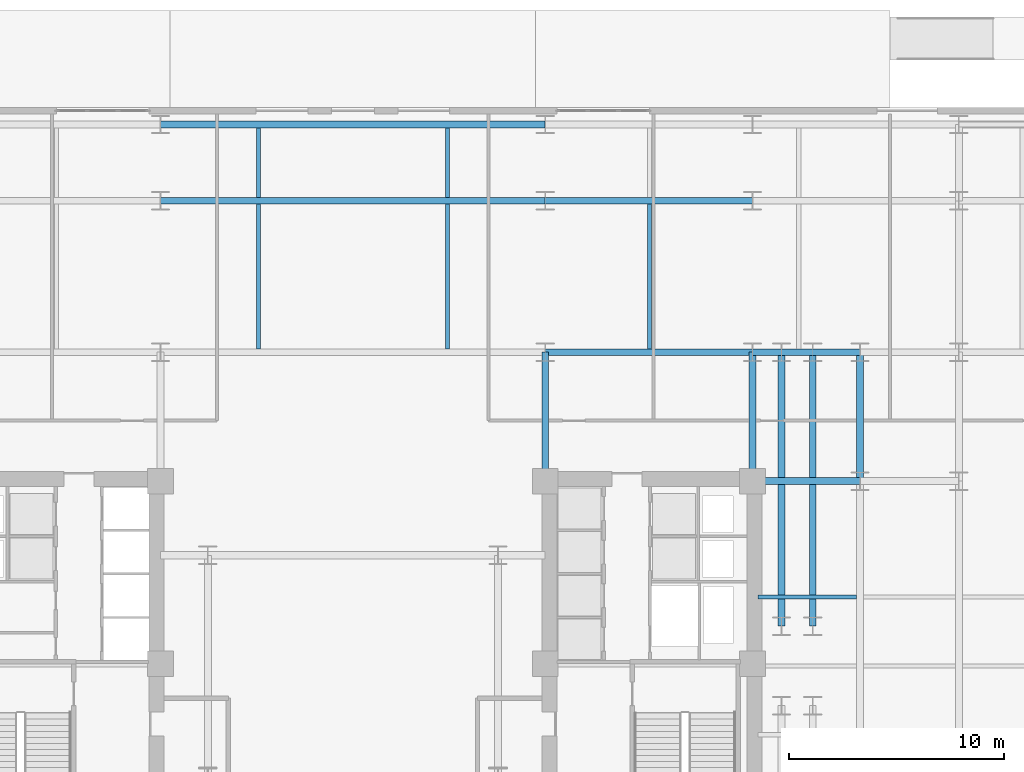
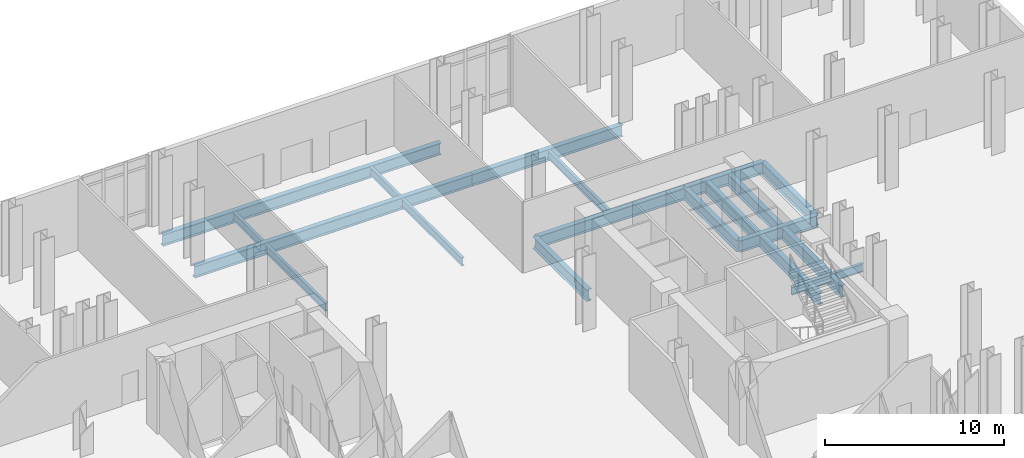
# One storey, part 7 of 21: 17 beams.
"""IFC4 building model written with IfcOpenShell, lengths in metres."""

from ifc_helpers import new_model, si_unit, direction, frame, origin, origin_2d, place, context, subcontext, project, spatial, i_section, extrude, material, material_profile, profile_set, type_object, element, save


model = new_model("IFC4")

# Units and contexts
model_context = context("Model", 3, precision=1e-05, world=origin(), true_north=direction((0.0, 1.0)))
body_context = subcontext(model_context, "Body", "Model", "MODEL_VIEW")
ifc_project = project(units=[si_unit("LENGTHUNIT", "METRE"), si_unit("AREAUNIT", "SQUARE_METRE"), si_unit("VOLUMEUNIT", "CUBIC_METRE"), si_unit("PLANEANGLEUNIT", "RADIAN"), si_unit("MASSUNIT", "GRAM", prefix="KILO")], contexts=[model_context])

# Site, building, storey
site_placement = place(None, origin())
site = spatial("IfcSite", under=ifc_project, at=site_placement, CompositionType="ELEMENT")
building_placement = place(site_placement, origin())
building = spatial("IfcBuilding", under=site, at=building_placement, Name="Velakula Bourse", CompositionType="ELEMENT")
storey_placement = place(building_placement, origin())
storey = spatial("IfcBuildingStorey", under=building, at=storey_placement, Name="L00", CompositionType="ELEMENT", Elevation=0.0)

# Beams
ifc_material = material(Name="Steel IS 2062 Grade 350 (E350)", Category="steel")
ifc_material_profile_1 = material_profile(ifc_material, i_section(OverallWidth=0.320068359375, OverallDepth=0.800048828125, WebThickness=0.01806640625, FlangeThickness=0.028076171875, at=origin_2d()), Name="Steel IS 2062 Grade 350 (E350)")
ifc_profile_set_1 = profile_set([ifc_material_profile_1], Name="Steel IS 2062 Grade 350 (E350)")
beam_type_1 = type_object("IfcBeamType", Name="BM-POD-800", PredefinedType="BEAM", material=ifc_profile_set_1)
for number, where, z_axis, x_axis, name in (
    (1, (8.949951171875, 8.60009765625, -0.75), (0.0, 1.0, 0.0), (-1.0, 0.0, 0.0), "L00 Fulcrum Grid Girder FLC-ECN"),
    (2, (18.60009765625, 8.60009765625, -0.75), (0.0, 1.0, 0.0), (-1.0, 0.0, 0.0), "L00 Fulcrum Grid Girder FLC-EN"),
):
    element("IfcBeam", number, at=place(storey_placement, frame(where, z_axis=z_axis, x_axis=x_axis)), inside=storey, type_object=beam_type_1, Name=name, PredefinedType="BEAM", context=body_context, shape_type="SweptSolid", body=[
        extrude(i_section(OverallWidth=0.320068359375, OverallDepth=0.800048828125, WebThickness=0.01806640625, FlangeThickness=0.028076171875, at=origin_2d()), origin(), (0.0, 0.0, 1.0), 6.0),
    ])
beam_1_placement = place(storey_placement, frame((8.949951171875, 14.60009765625, -0.75), z_axis=(1.0, 0.0, 0.0), x_axis=(0.0, 1.0, 0.0)))
element("IfcBeam", 3, at=beam_1_placement, inside=storey, type_object=beam_type_1, Name="L00 Fulcrum Grid Girder FLC-N3", PredefinedType="BEAM", context=body_context, shape_type="SweptSolid", body=[
    extrude(i_section(OverallWidth=0.320068359375, OverallDepth=0.800048828125, WebThickness=0.01806640625, FlangeThickness=0.028076171875, at=origin_2d()), origin(), (0.0, 0.0, 1.0), 9.650146484375),
])
for number, where, z_axis, x_axis, name in (
    (4, (19.949951171875, 1.85009765625, -0.75), (0.0, 1.0, 0.0), (-1.0, 0.0, 0.0), "L00 Fulcrum Grid Girder FLC-PNE1"),
    (5, (21.39990234375, 1.85009765625, -0.75), (0.0, 1.0, 0.0), (-1.0, 0.0, 0.0), "L00 Fulcrum Grid Girder FLC-PNE2"),
):
    element("IfcBeam", number, at=place(storey_placement, frame(where, z_axis=z_axis, x_axis=x_axis)), inside=storey, type_object=beam_type_1, Name=name, PredefinedType="BEAM", context=body_context, shape_type="SweptSolid", body=[
        extrude(i_section(OverallWidth=0.320068359375, OverallDepth=0.800048828125, WebThickness=0.01806640625, FlangeThickness=0.028076171875, at=origin_2d()), origin(), (0.0, 0.0, 1.0), 12.75),
    ])
for number, where, z_axis, x_axis, name in (
    (6, (18.60009765625, 8.60009765625, -0.75), (1.0, 0.0, 0.0), (0.0, 1.0, 0.0), "L00 Fulcrum Grid Girder MWG-EN1"),
    (7, (18.60009765625, 14.60009765625, -0.75), (1.0, 0.0, 0.0), (0.0, 1.0, 0.0), "L00 Fulcrum Grid Girder MWG-EN2"),
):
    element("IfcBeam", number, at=place(storey_placement, frame(where, z_axis=z_axis, x_axis=x_axis)), inside=storey, type_object=beam_type_1, Name=name, PredefinedType="BEAM", context=body_context, shape_type="SweptSolid", body=[
        extrude(i_section(OverallWidth=0.320068359375, OverallDepth=0.800048828125, WebThickness=0.01806640625, FlangeThickness=0.028076171875, at=origin_2d()), origin(), (0.0, 0.0, 1.0), 5.0),
    ])
beam_2_placement = place(storey_placement, frame((23.60009765625, 8.60009765625, -0.75), z_axis=(0.0, 1.0, 0.0), x_axis=(-1.0, 0.0, 0.0)))
element("IfcBeam", 8, at=beam_2_placement, inside=storey, type_object=beam_type_1, Name="L00 Fulcrum Grid Girder MWG-ENS3", PredefinedType="BEAM", context=body_context, shape_type="SweptSolid", body=[
    extrude(i_section(OverallWidth=0.320068359375, OverallDepth=0.800048828125, WebThickness=0.01806640625, FlangeThickness=0.028076171875, at=origin_2d()), origin(), (0.0, 0.0, 1.0), 6.0),
])
beam_3_placement = place(storey_placement, frame((-8.949951171875, 21.64990234375, -0.75), z_axis=(1.0, 0.0, 0.0), x_axis=(0.0, 1.0, 0.0)))
element("IfcBeam", 9, at=beam_3_placement, inside=storey, type_object=beam_type_1, Name="L00 Podium E-W Girder 51", PredefinedType="BEAM", context=body_context, shape_type="SweptSolid", body=[
    extrude(i_section(OverallWidth=0.320068359375, OverallDepth=0.800048828125, WebThickness=0.01806640625, FlangeThickness=0.028076171875, at=origin_2d()), origin(), (0.0, 0.0, 1.0), 17.89990234375),
])
beam_4_placement = place(storey_placement, frame((8.949951171875, 21.64990234375, -0.75), z_axis=(1.0, 0.0, 0.0), x_axis=(0.0, 1.0, 0.0)))
element("IfcBeam", 10, at=beam_4_placement, inside=storey, type_object=beam_type_1, Name="L00 Podium E-W Girder 52", PredefinedType="BEAM", context=body_context, shape_type="SweptSolid", body=[
    extrude(i_section(OverallWidth=0.320068359375, OverallDepth=0.800048828125, WebThickness=0.01806640625, FlangeThickness=0.028076171875, at=origin_2d()), origin(), (0.0, 0.0, 1.0), 9.650146484375),
])
beam_5_placement = place(storey_placement, frame((-8.949951171875, 25.199951171875, -0.75), z_axis=(1.0, 0.0, 0.0), x_axis=(0.0, 1.0, 0.0)))
element("IfcBeam", 11, at=beam_5_placement, inside=storey, type_object=beam_type_1, Name="L00 Podium E-W Girder 60", PredefinedType="BEAM", context=body_context, shape_type="SweptSolid", body=[
    extrude(i_section(OverallWidth=0.320068359375, OverallDepth=0.800048828125, WebThickness=0.01806640625, FlangeThickness=0.028076171875, at=origin_2d()), origin(), (0.0, 0.0, 1.0), 17.89990234375),
])
ifc_material_profile_2 = material_profile(ifc_material, i_section(OverallWidth=0.18994140625, OverallDepth=0.550048828125, WebThickness=0.01123046875, FlangeThickness=0.019287109375, at=origin_2d()), Name="Steel IS 2062 Grade 350 (E350)")
ifc_profile_set_2 = profile_set([ifc_material_profile_2], Name="Steel IS 2062 Grade 350 (E350)")
beam_type_2 = type_object("IfcBeamType", Name="JST-POD-550", PredefinedType="JOIST", material=ifc_profile_set_2)
beam_6_placement = place(storey_placement, frame((-4.39990234375, 14.760009765625, -0.625), z_axis=(0.0, 1.0, 0.0), x_axis=(-1.0, 0.0, 0.0)))
element("IfcBeam", 12, at=beam_6_placement, inside=storey, type_object=beam_type_2, Name="L00 Station Podium Floor Joist 15", PredefinedType="JOIST", context=body_context, shape_type="SweptSolid", body=[
    extrude(i_section(OverallWidth=0.18994140625, OverallDepth=0.550048828125, WebThickness=0.01123046875, FlangeThickness=0.019287109375, at=origin_2d()), origin(), (0.0, 0.0, 1.0), 6.72998046875),
])
beam_7_placement = place(storey_placement, frame((-4.39990234375, 21.81005859375, -0.625), z_axis=(0.0, 1.0, 0.0), x_axis=(-1.0, 0.0, 0.0)))
element("IfcBeam", 13, at=beam_7_placement, inside=storey, type_object=beam_type_2, Name="L00 Station Podium Floor Joist 16", PredefinedType="JOIST", context=body_context, shape_type="SweptSolid", body=[
    extrude(i_section(OverallWidth=0.18994140625, OverallDepth=0.550048828125, WebThickness=0.01123046875, FlangeThickness=0.019287109375, at=origin_2d()), origin(), (0.0, 0.0, 1.0), 3.22998046875),
])
beam_8_placement = place(storey_placement, frame((4.39990234375, 14.760009765625, -0.625), z_axis=(0.0, 1.0, 0.0), x_axis=(-1.0, 0.0, 0.0)))
element("IfcBeam", 14, at=beam_8_placement, inside=storey, type_object=beam_type_2, Name="L00 Station Podium Floor Joist 19", PredefinedType="JOIST", context=body_context, shape_type="SweptSolid", body=[
    extrude(i_section(OverallWidth=0.18994140625, OverallDepth=0.550048828125, WebThickness=0.01123046875, FlangeThickness=0.019287109375, at=origin_2d()), origin(), (0.0, 0.0, 1.0), 6.72998046875),
])
beam_9_placement = place(storey_placement, frame((4.39990234375, 21.81005859375, -0.625), z_axis=(0.0, 1.0, 0.0), x_axis=(-1.0, 0.0, 0.0)))
element("IfcBeam", 15, at=beam_9_placement, inside=storey, type_object=beam_type_2, Name="L00 Station Podium Floor Joist 20", PredefinedType="JOIST", context=body_context, shape_type="SweptSolid", body=[
    extrude(i_section(OverallWidth=0.18994140625, OverallDepth=0.550048828125, WebThickness=0.01123046875, FlangeThickness=0.019287109375, at=origin_2d()), origin(), (0.0, 0.0, 1.0), 3.22998046875),
])
beam_10_placement = place(storey_placement, frame((13.800048828125, 14.760009765625, -0.625), z_axis=(0.0, 1.0, 0.0), x_axis=(-1.0, 0.0, 0.0)))
element("IfcBeam", 16, at=beam_10_placement, inside=storey, type_object=beam_type_2, Name="L00 Station Podium Floor Joist 23", PredefinedType="JOIST", context=body_context, shape_type="SweptSolid", body=[
    extrude(i_section(OverallWidth=0.18994140625, OverallDepth=0.550048828125, WebThickness=0.01123046875, FlangeThickness=0.019287109375, at=origin_2d()), origin(), (0.0, 0.0, 1.0), 6.72998046875),
])
beam_11_placement = place(storey_placement, frame((18.85009765625, 3.199951171875, -0.625), z_axis=(1.0, 0.0, 0.0), x_axis=(0.0, 1.0, 0.0)))
element("IfcBeam", 17, at=beam_11_placement, inside=storey, type_object=beam_type_2, Name="L00 Station Wing Floor Joist 53", PredefinedType="JOIST", context=body_context, shape_type="SweptSolid", body=[
    extrude(i_section(OverallWidth=0.18994140625, OverallDepth=0.550048828125, WebThickness=0.01123046875, FlangeThickness=0.019287109375, at=origin_2d()), origin(), (0.0, 0.0, 1.0), 4.58984375),
])

save(model, "model.ifc")
